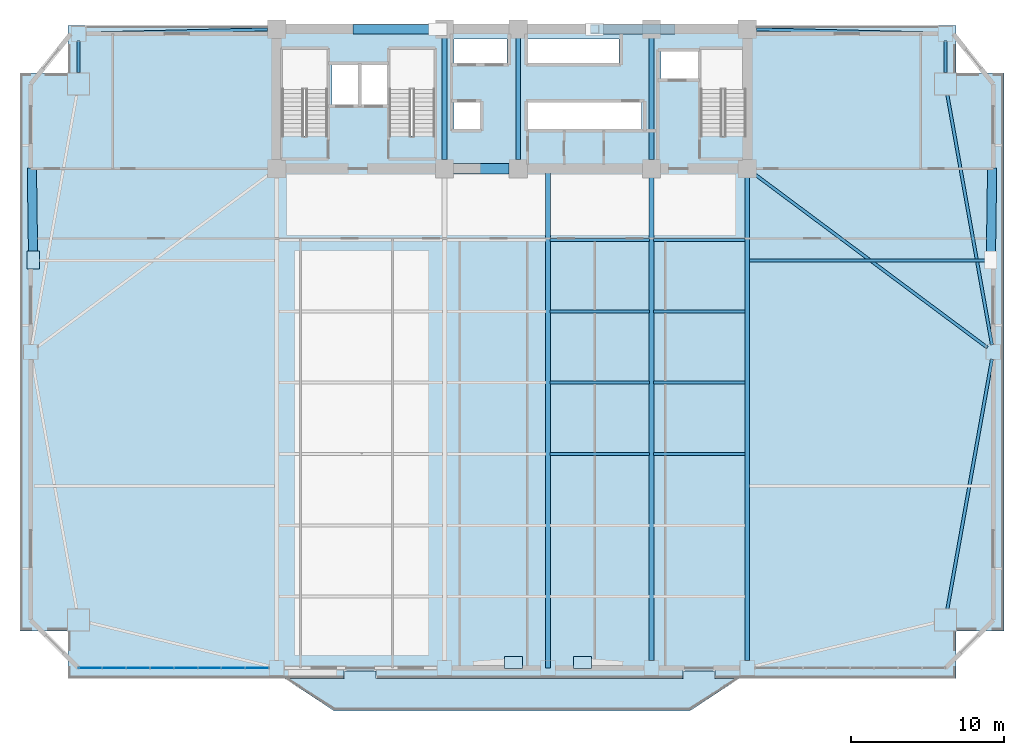
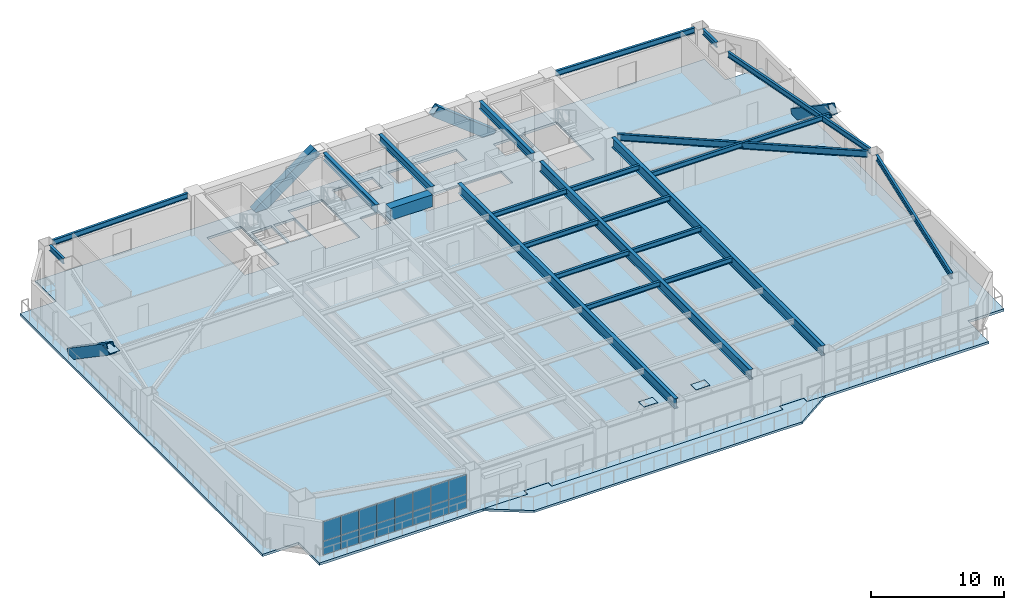
# One storey, part 8 of 18: 23 beams, 19 plates, 4 members, 2 slabs, 1 element without a shape of its own.
"""IFC4 building model written with IfcOpenShell, lengths in metres."""

from ifc_helpers import new_model, si_unit, direction, frame, origin, origin_2d, place, context, subcontext, project, spatial, polyline, rectangle, hollow_rectangle, i_section, outline, extrude, source, transform, mapped, material, layer, layer_set, material_profile, profile_set, type_object, element, aggregate, save


model = new_model("IFC4")

# Units and contexts
model_context = context("Model", 3, precision=1e-05, world=origin(), true_north=direction((0.0, 1.0)))
body_context = subcontext(model_context, "Body", "Model", "MODEL_VIEW")
ifc_project = project(units=[si_unit("LENGTHUNIT", "METRE"), si_unit("AREAUNIT", "SQUARE_METRE"), si_unit("VOLUMEUNIT", "CUBIC_METRE"), si_unit("PLANEANGLEUNIT", "RADIAN"), si_unit("MASSUNIT", "GRAM", prefix="KILO")], contexts=[model_context])

# Site, building, storey
site_placement = place(None, origin())
site = spatial("IfcSite", under=ifc_project, at=site_placement, CompositionType="ELEMENT")
building_placement = place(site_placement, origin())
building = spatial("IfcBuilding", under=site, at=building_placement, Name="Giltprow Tower", CompositionType="ELEMENT")
storey_placement = place(building_placement, frame((0.0, 0.0, 65.0)))
storey = spatial("IfcBuildingStorey", under=building, at=storey_placement, Name="L16", CompositionType="ELEMENT", Elevation=65.0)

# Beams
ifc_material_1 = material(Name="Concrete C60", Category="concrete")
ifc_material_profile_1 = material_profile(ifc_material_1, rectangle(XDim=0.699951171875, YDim=1.10009765625, at=origin_2d()), Name="RC 1100x700")
ifc_profile_set_1 = profile_set([ifc_material_profile_1], Name="Concrete C60")
beam_type_1 = type_object("IfcBeamType", Name="BM-CPL-RC1100", PredefinedType="LINTEL", material=ifc_profile_set_1)
shared_shape_1 = source(origin(), body_context, "Body", "SweptSolid", [
    extrude(rectangle(XDim=0.699951171875, YDim=1.10009765625, at=origin_2d()), origin(), (0.0, 0.0, 1.0), 3.6298828125),
])
beam_1_placement = place(storey_placement, frame((31.385009765625, 37.449951171875, 3.1298828125), z_axis=(1.0, 0.0, 0.0), x_axis=(0.0, 1.0, 0.0)))
element("IfcBeam", 1, at=beam_1_placement, inside=storey, type_object=beam_type_1, Name="L16 Core Coupling Beam CB-1", PredefinedType="LINTEL", context=body_context, shape_type="MappedRepresentation", body=[
    mapped(shared_shape_1, transform((0.0, 0.0, 0.0), x_axis=(1.0, 0.0, 0.0), y_axis=(0.0, 1.0, 0.0), z_axis=(0.0, 0.0, 1.0), scale=1.0)),
])
ifc_material_2 = material(Name="Structural steel Q355B", Category="steel")
ifc_material_profile_2 = material_profile(ifc_material_2, i_section(OverallWidth=0.300048828125, OverallDepth=0.699951171875, WebThickness=0.012939453125, FlangeThickness=0.02392578125, at=origin_2d()), Name="HN 700x300x13x24")
ifc_profile_set_2 = profile_set([ifc_material_profile_2], Name="Structural steel Q355B")
beam_type_2 = type_object("IfcBeamType", Name="BM-GIRD-HN700", PredefinedType="BEAM", material=ifc_profile_set_2)
shared_shape_2 = source(origin(), body_context, "Body", "SweptSolid", [
    extrude(i_section(OverallWidth=0.300048828125, OverallDepth=0.699951171875, WebThickness=0.012939453125, FlangeThickness=0.02392578125, at=origin_2d()), origin(), (0.0, 0.0, 1.0), 7.93017578125),
])
for number, where, z_axis, x_axis, name in (
    (2, (30.800048828125, 38.034912109375, 3.330078125), (0.0, 1.0, 0.0), (-1.0, 0.0, 0.0), "L16 Core Tie Girder M1"),
    (3, (35.60009765625, 38.034912109375, 3.330078125), (0.0, 1.0, 0.0), (-1.0, 0.0, 0.0), "L16 Core Tie Girder M2"),
    (4, (44.300048828125, 38.034912109375, 3.330078125), (0.0, 1.0, 0.0), (-1.0, 0.0, 0.0), "L16 Core Tie Girder M3"),
):
    element("IfcBeam", number, at=place(storey_placement, frame(where, z_axis=z_axis, x_axis=x_axis)), inside=storey, type_object=beam_type_2, Name=name, PredefinedType="BEAM", context=body_context, shape_type="MappedRepresentation", body=[
        mapped(shared_shape_2, transform((0.0, 0.0, 0.0), x_axis=(1.0, 0.0, 0.0), y_axis=(0.0, 1.0, 0.0), z_axis=(0.0, 0.0, 1.0), scale=1.0)),
    ])
ifc_material_profile_3 = material_profile(ifc_material_2, i_section(OverallWidth=0.199951171875, OverallDepth=0.449951171875, WebThickness=0.009033203125, FlangeThickness=0.013916015625, at=origin_2d()), Name="HN 450x200x9x14")
ifc_profile_set_3 = profile_set([ifc_material_profile_3], Name="Structural steel Q355B")
beam_type_3 = type_object("IfcBeamType", Name="BM-JOIST-HN450", PredefinedType="JOIST", material=ifc_profile_set_3)
shared_shape_3 = source(origin(), body_context, "Body", "SweptSolid", [
    extrude(i_section(OverallWidth=0.199951171875, OverallDepth=0.449951171875, WebThickness=0.009033203125, FlangeThickness=0.013916015625, at=origin_2d()), origin(), (0.0, 0.0, 1.0), 6.4599609375),
])
for number, where, z_axis, x_axis, name in (
    (5, (37.695068359375, 18.840087890625, 3.455078125), (1.0, 0.0, 0.0), (0.0, 1.0, 0.0), "L16 Composite Floor Joist 3-3"),
    (6, (37.695068359375, 23.491943359375, 3.455078125), (1.0, 0.0, 0.0), (0.0, 1.0, 0.0), "L16 Composite Floor Joist 4-3"),
    (7, (37.695068359375, 28.14501953125, 3.455078125), (1.0, 0.0, 0.0), (0.0, 1.0, 0.0), "L16 Composite Floor Joist 5-3"),
    (8, (37.695068359375, 32.797119140625, 3.455078125), (1.0, 0.0, 0.0), (0.0, 1.0, 0.0), "L16 Composite Floor Joist 6-3"),
):
    element("IfcBeam", number, at=place(storey_placement, frame(where, z_axis=z_axis, x_axis=x_axis)), inside=storey, type_object=beam_type_3, Name=name, PredefinedType="JOIST", context=body_context, shape_type="MappedRepresentation", body=[
        mapped(shared_shape_3, transform((0.0, 0.0, 0.0), x_axis=(1.0, 0.0, 0.0), y_axis=(0.0, 1.0, 0.0), z_axis=(0.0, 0.0, 1.0), scale=1.0)),
    ])
shared_shape_4 = source(origin(), body_context, "Body", "SweptSolid", [
    extrude(i_section(OverallWidth=0.199951171875, OverallDepth=0.449951171875, WebThickness=0.009033203125, FlangeThickness=0.013916015625, at=origin_2d()), origin(), (0.0, 0.0, 1.0), 5.9599609375),
])
for number, where, z_axis, x_axis, name in (
    (9, (44.445068359375, 18.840087890625, 3.455078125), (1.0, 0.0, 0.0), (0.0, 1.0, 0.0), "L16 Composite Floor Joist 3-4"),
    (10, (44.445068359375, 23.491943359375, 3.455078125), (1.0, 0.0, 0.0), (0.0, 1.0, 0.0), "L16 Composite Floor Joist 4-4"),
    (11, (44.445068359375, 28.14501953125, 3.455078125), (1.0, 0.0, 0.0), (0.0, 1.0, 0.0), "L16 Composite Floor Joist 5-4"),
    (12, (44.445068359375, 32.797119140625, 3.455078125), (1.0, 0.0, 0.0), (0.0, 1.0, 0.0), "L16 Composite Floor Joist 6-4"),
):
    element("IfcBeam", number, at=place(storey_placement, frame(where, z_axis=z_axis, x_axis=x_axis)), inside=storey, type_object=beam_type_3, Name=name, PredefinedType="JOIST", context=body_context, shape_type="MappedRepresentation", body=[
        mapped(shared_shape_4, transform((0.0, 0.0, 0.0), x_axis=(1.0, 0.0, 0.0), y_axis=(0.0, 1.0, 0.0), z_axis=(0.0, 0.0, 1.0), scale=1.0)),
    ])
ifc_material_profile_4 = material_profile(ifc_material_2, i_section(OverallWidth=0.300048828125, OverallDepth=0.89990234375, WebThickness=0.01611328125, FlangeThickness=0.028076171875, at=origin_2d()), Name="HN 900x300x16x28")
ifc_profile_set_4 = profile_set([ifc_material_profile_4], Name="Structural steel Q355B")
beam_type_4 = type_object("IfcBeamType", Name="BM-GIRD-HN900", PredefinedType="BEAM", material=ifc_profile_set_4)
shared_shape_5 = source(origin(), body_context, "Body", "SweptSolid", [
    extrude(i_section(OverallWidth=0.300048828125, OverallDepth=0.89990234375, WebThickness=0.01611328125, FlangeThickness=0.028076171875, at=origin_2d()), origin(), (0.0, 0.0, 1.0), 32.56787109375),
])
beam_2_placement = place(storey_placement, frame((37.550048828125, 4.882080078125, 3.22998046875), z_axis=(0.0, 1.0, 0.0), x_axis=(-1.0, 0.0, 0.0)))
element("IfcBeam", 13, at=beam_2_placement, inside=storey, type_object=beam_type_4, Name="L16 Central Lease Girder SMID", PredefinedType="BEAM", context=body_context, shape_type="MappedRepresentation", body=[
    mapped(shared_shape_5, transform((0.0, 0.0, 0.0), x_axis=(1.0, 0.0, 0.0), y_axis=(0.0, 1.0, 0.0), z_axis=(0.0, 0.0, 1.0), scale=1.0)),
])
shared_shape_6 = source(origin(), body_context, "Body", "SweptSolid", [
    extrude(i_section(OverallWidth=0.199951171875, OverallDepth=0.449951171875, WebThickness=0.009033203125, FlangeThickness=0.013916015625, at=origin_2d()), origin(), (0.0, 0.0, 1.0), 15.680908203125),
])
beam_3_placement = place(storey_placement, frame((50.695068359375, 31.470947265625, 3.455078125), z_axis=(1.0, 0.0, 0.0), x_axis=(0.0, 1.0, 0.0)))
element("IfcBeam", 14, at=beam_3_placement, inside=storey, type_object=beam_type_3, Name="L16 East Wing Floor Joist 2", PredefinedType="JOIST", context=body_context, shape_type="MappedRepresentation", body=[
    mapped(shared_shape_6, transform((0.0, 0.0, 0.0), x_axis=(1.0, 0.0, 0.0), y_axis=(0.0, 1.0, 0.0), z_axis=(0.0, 0.0, 1.0), scale=1.0)),
])
ifc_material_profile_5 = material_profile(ifc_material_2, i_section(OverallWidth=0.199951171875, OverallDepth=0.5, WebThickness=0.010009765625, FlangeThickness=0.01611328125, at=origin_2d()), Name="HN 500x200x10x16")
ifc_profile_set_5 = profile_set([ifc_material_profile_5], Name="Structural steel Q355B")
beam_type_5 = type_object("IfcBeamType", Name="BM-SPAN-HN500", PredefinedType="SPANDREL", material=ifc_profile_set_5)
shared_shape_7 = source(origin(), body_context, "Body", "SweptSolid", [
    extrude(i_section(OverallWidth=0.199951171875, OverallDepth=0.5, WebThickness=0.010009765625, FlangeThickness=0.01611328125, at=origin_2d()), origin(), (0.0, 0.0, 1.0), 16.54345703125),
])
for number, where, z_axis, x_axis, name in (
    (15, (63.60302734375, 8.72802734375, 3.429931640625), (0.175776847753, 0.984430038039, 0.0), (-0.984430038039, 0.175776847753, 0.0), "L16 Perimeter Spandrel Beam MC_SE-E_MID"),
    (16, (66.510986328125, 25.968017578125, 3.429931640625), (-0.175776847753, 0.984430038039, 0.0), (-0.984430038039, -0.175776847753, 0.0), "L16 Perimeter Spandrel Beam E_MID-MC_NE"),
):
    element("IfcBeam", number, at=place(storey_placement, frame(where, z_axis=z_axis, x_axis=x_axis)), inside=storey, type_object=beam_type_5, Name=name, PredefinedType="SPANDREL", context=body_context, shape_type="MappedRepresentation", body=[
        mapped(shared_shape_7, transform((0.0, 0.0, 0.0), x_axis=(1.0, 0.0, 0.0), y_axis=(0.0, 1.0, 0.0), z_axis=(0.0, 0.0, 1.0), scale=1.0)),
    ])
shared_shape_8 = source(origin(), body_context, "Body", "SweptSolid", [
    extrude(i_section(OverallWidth=0.199951171875, OverallDepth=0.5, WebThickness=0.010009765625, FlangeThickness=0.01611328125, at=origin_2d()), origin(), (0.0, 0.0, 1.0), 2.052001953125),
])
for number, where, z_axis, x_axis, name in (
    (17, (63.47412109375, 43.712890625, 3.429931640625), (0.0, 1.0, 0.0), (-1.0, 0.0, 0.0), "L16 Perimeter Spandrel Beam MC_NE-N_E"),
    (18, (6.927001953125, 45.764892578125, 3.429931640625), (0.0, -1.0, 0.0), (1.0, 0.0, 0.0), "L16 Perimeter Spandrel Beam N_W-MC_NW"),
):
    element("IfcBeam", number, at=place(storey_placement, frame(where, z_axis=z_axis, x_axis=x_axis)), inside=storey, type_object=beam_type_5, Name=name, PredefinedType="SPANDREL", context=body_context, shape_type="MappedRepresentation", body=[
        mapped(shared_shape_8, transform((0.0, 0.0, 0.0), x_axis=(1.0, 0.0, 0.0), y_axis=(0.0, 1.0, 0.0), z_axis=(0.0, 0.0, 1.0), scale=1.0)),
    ])
shared_shape_9 = source(origin(), body_context, "Body", "SweptSolid", [
    extrude(i_section(OverallWidth=0.199951171875, OverallDepth=0.5, WebThickness=0.010009765625, FlangeThickness=0.01611328125, at=origin_2d()), origin(), (0.0, 0.0, 1.0), 11.85595703125),
])
beam_4_placement = place(storey_placement, frame((7.412109375, 46.260986328125, 3.429931640625), z_axis=(0.999731149382, 0.02318682721, 0.0), x_axis=(-0.02318682721, 0.999731149382, 0.0)))
element("IfcBeam", 19, at=beam_4_placement, inside=storey, type_object=beam_type_5, Name="L16 North Wing Spandrel W", PredefinedType="SPANDREL", context=body_context, shape_type="MappedRepresentation", body=[
    mapped(shared_shape_9, transform((0.0, 0.0, 0.0), x_axis=(1.0, 0.0, 0.0), y_axis=(0.0, 1.0, 0.0), z_axis=(0.0, 0.0, 1.0), scale=1.0)),
])
shared_shape_10 = source(origin(), body_context, "Body", "SweptSolid", [
    extrude(i_section(OverallWidth=0.199951171875, OverallDepth=0.5, WebThickness=0.010009765625, FlangeThickness=0.01611328125, at=origin_2d()), origin(), (0.0, 0.0, 1.0), 11.857177734375),
])
beam_5_placement = place(storey_placement, frame((51.135009765625, 46.535888671875, 3.429931640625), z_axis=(0.999731204728, -0.023184440757, 0.0), x_axis=(0.023184440757, 0.999731204728, 0.0)))
element("IfcBeam", 20, at=beam_5_placement, inside=storey, type_object=beam_type_5, Name="L16 North Wing Spandrel E", PredefinedType="SPANDREL", context=body_context, shape_type="MappedRepresentation", body=[
    mapped(shared_shape_10, transform((0.0, 0.0, 0.0), x_axis=(1.0, 0.0, 0.0), y_axis=(0.0, 1.0, 0.0), z_axis=(0.0, 0.0, 1.0), scale=1.0)),
])
shared_shape_11 = source(origin(), body_context, "Body", "SweptSolid", [
    extrude(i_section(OverallWidth=0.300048828125, OverallDepth=0.89990234375, WebThickness=0.01611328125, FlangeThickness=0.028076171875, at=origin_2d()), origin(), (0.0, 0.0, 1.0), 31.498046875),
])
for number, where, z_axis, x_axis, name in (
    (21, (44.300048828125, 5.366943359375, 3.22998046875), (0.0, 1.0, 0.0), (-1.0, 0.0, 0.0), "L16 Primary Lease Girder S3"),
    (22, (50.550048828125, 5.366943359375, 3.22998046875), (0.0, 1.0, 0.0), (-1.0, 0.0, 0.0), "L16 Primary Lease Girder S4"),
):
    element("IfcBeam", number, at=place(storey_placement, frame(where, z_axis=z_axis, x_axis=x_axis)), inside=storey, type_object=beam_type_4, Name=name, PredefinedType="BEAM", context=body_context, shape_type="MappedRepresentation", body=[
        mapped(shared_shape_11, transform((0.0, 0.0, 0.0), x_axis=(1.0, 0.0, 0.0), y_axis=(0.0, 1.0, 0.0), z_axis=(0.0, 0.0, 1.0), scale=1.0)),
    ])
ifc_material_profile_6 = material_profile(ifc_material_2, i_section(OverallWidth=0.199951171875, OverallDepth=0.60009765625, WebThickness=0.010986328125, FlangeThickness=0.01708984375, at=origin_2d()), Name="HN 600x200x11x17")
ifc_profile_set_6 = profile_set([ifc_material_profile_6], Name="Structural steel Q355B")
beam_type_6 = type_object("IfcBeamType", Name="BM-GIRD-HN600", PredefinedType="BEAM", material=ifc_profile_set_6)
shared_shape_12 = source(origin(), body_context, "Body", "SweptSolid", [
    extrude(i_section(OverallWidth=0.199951171875, OverallDepth=0.60009765625, WebThickness=0.010986328125, FlangeThickness=0.01708984375, at=origin_2d()), origin(), (0.0, 0.0, 1.0), 18.94189453125),
])
beam_6_placement = place(storey_placement, frame((66.20703125, 25.781005859375, 3.3798828125), z_axis=(-0.801818286045, 0.59756793435, 0.0), x_axis=(-0.59756793435, -0.801818286045, 0.0)))
element("IfcBeam", 23, at=beam_6_placement, inside=storey, type_object=beam_type_6, Name="L16 East Wing Primary Girder", PredefinedType="BEAM", context=body_context, shape_type="MappedRepresentation", body=[
    mapped(shared_shape_12, transform((0.0, 0.0, 0.0), x_axis=(1.0, 0.0, 0.0), y_axis=(0.0, 1.0, 0.0), z_axis=(0.0, 0.0, 1.0), scale=1.0)),
])

# Members
ifc_material_3 = material(Name="Structural steel Q420GJC", Category="steel")
ifc_material_profile_7 = material_profile(ifc_material_3, hollow_rectangle(XDim=0.60009765625, YDim=0.89990234375, WallThickness=0.0400390625, at=origin_2d()), Name="RHS 900x600x40")
ifc_profile_set_7 = profile_set([ifc_material_profile_7], Name="Structural steel Q420GJC")
member_type = type_object("IfcMemberType", Name="MBR-MEGA-RHS900", PredefinedType="BRACE", material=ifc_profile_set_7)
shared_shape_13 = source(origin(), body_context, "Body", "SweptSolid", [
    extrude(hollow_rectangle(XDim=0.60009765625, YDim=0.89990234375, WallThickness=0.0400390625, at=origin_2d()), origin(), (0.0, 0.0, 1.0), 6.5400390625),
])
member_1_placement = place(storey_placement, frame((25.10009765625, 46.550048828125, -0.139892578125), z_axis=(0.802750995836, 0.0, 0.596314379068), x_axis=(0.0, 1.0, 0.0)))
element("IfcMember", 24, at=member_1_placement, inside=storey, type_object=member_type, Name="L16 Chevron Mega-Brace N-L", PredefinedType="BRACE", context=body_context, shape_type="MappedRepresentation", body=[
    mapped(shared_shape_13, transform((0.0, 0.0, 0.0), x_axis=(1.0, 0.0, 0.0), y_axis=(0.0, 1.0, 0.0), z_axis=(0.0, 0.0, 1.0), scale=1.0)),
])
shared_shape_14 = source(origin(), body_context, "Body", "SweptSolid", [
    extrude(hollow_rectangle(XDim=0.60009765625, YDim=0.89990234375, WallThickness=0.0400390625, at=origin_2d()), origin(), (0.0, 0.0, 1.0), 6.328369140625),
])
member_2_placement = place(storey_placement, frame((45.56689453125, 46.550048828125, -0.139892578125), z_axis=(-0.787545703669, 0.0, 0.616256249163), x_axis=(0.0, -1.0, 0.0)))
element("IfcMember", 25, at=member_2_placement, inside=storey, type_object=member_type, Name="L16 Chevron Mega-Brace N-R", PredefinedType="BRACE", context=body_context, shape_type="MappedRepresentation", body=[
    mapped(shared_shape_14, transform((0.0, 0.0, 0.0), x_axis=(1.0, 0.0, 0.0), y_axis=(0.0, 1.0, 0.0), z_axis=(0.0, 0.0, 1.0), scale=1.0)),
])
shared_shape_15 = source(origin(), body_context, "Body", "SweptSolid", [
    extrude(hollow_rectangle(XDim=0.60009765625, YDim=0.89990234375, WallThickness=0.0400390625, at=origin_2d()), origin(), (0.0, 0.0, 1.0), 6.940673828125),
])
for number, where, z_axis, x_axis, name in (
    (26, (3.883056640625, 37.237060546875, 0.0), (0.01136149586, -0.827138003577, 0.561884008894), (0.999905675691, 0.013734617616, 0.0), "L16 Chevron Mega-Brace W-R"),
    (27, (66.51806640625, 37.237060546875, 0.0), (-0.011396666208, -0.827137672508, 0.561883783995), (0.999905090819, -0.013777131594, 0.0), "L16 Chevron Mega-Brace E-R"),
):
    element("IfcMember", number, at=place(storey_placement, frame(where, z_axis=z_axis, x_axis=x_axis)), inside=storey, type_object=member_type, Name=name, PredefinedType="BRACE", context=body_context, shape_type="MappedRepresentation", body=[
        mapped(shared_shape_15, transform((0.0, 0.0, 0.0), x_axis=(1.0, 0.0, 0.0), y_axis=(0.0, 1.0, 0.0), z_axis=(0.0, 0.0, 1.0), scale=1.0)),
    ])

# Slabs
ifc_material_4 = material(Name="Concrete C40", Category="concrete")
ifc_layer_1 = layer(ifc_material_4, 0.199951171875, Name="Concrete C40")
ifc_layer_set_1 = layer_set([ifc_layer_1], Name="Concrete C40")
slab_type_1 = type_object("IfcSlabType", Name="SLB-BALC-BRONZE-200", PredefinedType="FLOOR", material=ifc_layer_set_1)
slab_1_placement = place(storey_placement, frame((0.0, 0.0, -0.199951171875)))
element("IfcSlab", 28, at=slab_1_placement, inside=storey, type_object=slab_type_1, Name="L16 Bronze Prow Waterfront Balcony Slab", PredefinedType="FLOOR", context=body_context, shape_type="SweptSolid", body=[
    extrude(outline(polyline([(50.0, 4.181884765625), (46.800048828125, 2.08203125), (23.60009765625, 2.08203125), (20.39990234375, 4.181884765625), (24.280029296875, 4.181884765625), (24.280029296875, 4.681884765625), (26.320068359375, 4.681884765625), (26.320068359375, 4.181884765625), (46.3798828125, 4.181884765625), (46.3798828125, 4.681884765625), (48.419921875, 4.681884765625), (48.419921875, 4.181884765625), (50.0, 4.181884765625)])), origin(), (0.0, 0.0, 1.0), 0.199951171875),
])
ifc_layer_2 = layer(ifc_material_4, 0.219970703125, Name="Concrete C40")
ifc_layer_set_2 = layer_set([ifc_layer_2], Name="Concrete C40")
slab_type_2 = type_object("IfcSlabType", Name="SLB-OFF-220", PredefinedType="FLOOR", material=ifc_layer_set_2)
slab_2_placement = place(storey_placement, frame((0.0, 0.0, -0.219970703125)))
element("IfcSlab", 29, at=slab_2_placement, inside=storey, type_object=slab_type_2, Name="L16 Structural Composite Floor Slab", PredefinedType="FLOOR", context=body_context, shape_type="SweptSolid", body=[
    extrude(outline(polyline([(6.22705078125, 4.181884765625), (6.22705078125, 7.303955078125), (3.10498046875, 7.303955078125), (3.10498046875, 43.677978515625), (6.22705078125, 43.677978515625), (6.22705078125, 46.800048828125), (64.174072265625, 46.800048828125), (64.174072265625, 43.677978515625), (67.2958984375, 43.677978515625), (67.2958984375, 7.303955078125), (64.174072265625, 7.303955078125), (64.174072265625, 4.181884765625), (48.449951171875, 4.181884765625), (48.449951171875, 4.701904296875), (46.35009765625, 4.701904296875), (46.35009765625, 4.181884765625), (26.35009765625, 4.181884765625), (26.35009765625, 4.701904296875), (24.25, 4.701904296875), (24.25, 4.181884765625), (6.22705078125, 4.181884765625)]), holes=[polyline([(33.10009765625, 41.800048828125), (31.419921875, 41.800048828125), (31.419921875, 40.0), (33.10009765625, 40.0), (33.10009765625, 41.800048828125)]), polyline([(23.159912109375, 39.570068359375), (23.159912109375, 45.25), (20.199951171875, 45.25), (20.199951171875, 39.570068359375), (23.159912109375, 39.570068359375)]), polyline([(30.159912109375, 45.25), (27.199951171875, 45.25), (27.199951171875, 39.570068359375), (30.159912109375, 39.570068359375), (30.159912109375, 45.25)]), polyline([(25.169921875, 41.60009765625), (25.169921875, 44.199951171875), (23.449951171875, 44.199951171875), (23.449951171875, 41.60009765625), (25.169921875, 41.60009765625)]), polyline([(27.10009765625, 41.60009765625), (27.10009765625, 44.199951171875), (25.35009765625, 44.199951171875), (25.35009765625, 41.60009765625), (27.10009765625, 41.60009765625)]), polyline([(43.659912109375, 40.0), (43.659912109375, 41.800048828125), (36.239990234375, 41.800048828125), (36.239990234375, 40.0), (43.659912109375, 40.0)]), polyline([(50.4599609375, 39.570068359375), (50.4599609375, 45.25), (47.5, 45.25), (47.5, 39.570068359375), (50.4599609375, 39.570068359375)]), polyline([(47.3798828125, 45.10009765625), (44.919921875, 45.10009765625), (44.919921875, 43.300048828125), (47.3798828125, 43.300048828125), (47.3798828125, 45.10009765625)]), polyline([(34.8798828125, 44.300048828125), (34.8798828125, 45.919921875), (31.419921875, 45.919921875), (31.419921875, 44.300048828125), (34.8798828125, 44.300048828125)]), polyline([(42.169921875, 44.300048828125), (42.169921875, 45.919921875), (36.239990234375, 45.919921875), (36.239990234375, 44.300048828125), (42.169921875, 44.300048828125)])]), origin(), (0.0, 0.0, 1.0), 0.219970703125),
])

# Plates
plate_type_1 = type_object("IfcPlateType", Name="PLT-CAP-SEAL", PredefinedType="USERDEFINED", material=ifc_material_3)
shared_shape_16 = source(origin(), body_context, "Body", "SweptSolid", [
    extrude(rectangle(XDim=1.199951171875, YDim=0.800048828125, at=origin_2d()), origin(), (0.0, 0.0, 1.0), 0.034912109375),
])
for number, where, z_axis, x_axis, name in (
    (30, (35.300048828125, 5.23291015625, 3.88232421875), (0.0, 0.0, 1.0), (1.0, 0.0, 0.0), "Mega-Brace Node L16-S-LB"),
    (31, (39.800048828125, 5.23291015625, 3.88232421875), (0.0, 0.0, 1.0), (1.0, 0.0, 0.0), "Mega-Brace Node L16-S-RB"),
    (32, (3.9619140625, 31.49609375, 3.88232421875), (0.0, 0.0, 1.0), (0.0, 1.0, 0.0), "Mega-Brace Node L16-W-RB"),
):
    element("IfcPlate", number, at=place(storey_placement, frame(where, z_axis=z_axis, x_axis=x_axis)), inside=storey, type_object=plate_type_1, Name=name, ObjectType="SPLICE", PredefinedType="USERDEFINED", context=body_context, shape_type="MappedRepresentation", body=[
        mapped(shared_shape_16, transform((0.0, 0.0, 0.0), x_axis=(1.0, 0.0, 0.0), y_axis=(0.0, 1.0, 0.0), z_axis=(0.0, 0.0, 1.0), scale=1.0)),
    ])

# Curtain wall, plates
ifc_material_5 = material(Name="Anodized bronze", Category="metal")
ifc_layer_3 = layer(ifc_material_5, 0.179931640625, Name="Anodized bronze")
ifc_layer_set_3 = layer_set([ifc_layer_3], Name="Anodized bronze")
curtain_wall_type = type_object("IfcCurtainWallType", Name="CW-OFF-RECESSED", PredefinedType="NOTDEFINED", material=ifc_layer_set_3)
curtain_wall_placement = place(storey_placement, origin())
curtain_wall = element("IfcCurtainWall", 33, at=curtain_wall_placement, inside=storey, type_object=curtain_wall_type, Name="L16 South Recessed Curtain Wall 1", PredefinedType="NOTDEFINED")
ifc_material_6 = material(Name="Insulated glass", Category="glass")
plate_type_2 = type_object("IfcPlateType", Name="CW-PANEL-IGU-28", PredefinedType="CURTAIN_PANEL", material=ifc_material_6)
shared_shape_17 = source(origin(), body_context, "Body", "SweptSolid", [
    extrude(rectangle(XDim=1.52294921875, YDim=0.028076171875, at=origin_2d()), origin(), (0.0, 0.0, 1.0), 1.259033203125),
])
plate_1_placement = place(storey_placement, frame((7.702880859375, 4.882080078125, 0.0546875), z_axis=(0.0, 0.0, 1.0), x_axis=(1.0, 0.0, 0.0)))
plate_1 = element("IfcPlate", 34, at=plate_1_placement, type_object=plate_type_2, Name="L16 South Recessed Curtain Wall 1 Glazing Panel 1-1", PredefinedType="CURTAIN_PANEL", context=body_context, shape_type="MappedRepresentation", body=[
    mapped(shared_shape_17, transform((0.0, 0.0, 0.0), x_axis=(1.0, 0.0, 0.0), y_axis=(0.0, 1.0, 0.0), z_axis=(0.0, 0.0, 1.0), scale=1.0)),
])
plate_2_placement = place(storey_placement, frame((9.256103515625, 4.882080078125, 0.0546875), z_axis=(0.0, 0.0, 1.0), x_axis=(1.0, 0.0, 0.0)))
plate_2 = element("IfcPlate", 35, at=plate_2_placement, type_object=plate_type_2, Name="L16 South Recessed Curtain Wall 1 Glazing Panel 2-1", PredefinedType="CURTAIN_PANEL", context=body_context, shape_type="MappedRepresentation", body=[
    mapped(shared_shape_17, transform((0.0, 0.0, 0.0), x_axis=(1.0, 0.0, 0.0), y_axis=(0.0, 1.0, 0.0), z_axis=(0.0, 0.0, 1.0), scale=1.0)),
])
plate_3_placement = place(storey_placement, frame((10.80908203125, 4.882080078125, 0.0546875), z_axis=(0.0, 0.0, 1.0), x_axis=(1.0, 0.0, 0.0)))
plate_3 = element("IfcPlate", 36, at=plate_3_placement, type_object=plate_type_2, Name="L16 South Recessed Curtain Wall 1 Glazing Panel 3-1", PredefinedType="CURTAIN_PANEL", context=body_context, shape_type="MappedRepresentation", body=[
    mapped(shared_shape_17, transform((0.0, 0.0, 0.0), x_axis=(1.0, 0.0, 0.0), y_axis=(0.0, 1.0, 0.0), z_axis=(0.0, 0.0, 1.0), scale=1.0)),
])
plate_4_placement = place(storey_placement, frame((12.362060546875, 4.882080078125, 0.0546875), z_axis=(0.0, 0.0, 1.0), x_axis=(1.0, 0.0, 0.0)))
plate_4 = element("IfcPlate", 37, at=plate_4_placement, type_object=plate_type_2, Name="L16 South Recessed Curtain Wall 1 Glazing Panel 4-1", PredefinedType="CURTAIN_PANEL", context=body_context, shape_type="MappedRepresentation", body=[
    mapped(shared_shape_17, transform((0.0, 0.0, 0.0), x_axis=(1.0, 0.0, 0.0), y_axis=(0.0, 1.0, 0.0), z_axis=(0.0, 0.0, 1.0), scale=1.0)),
])
plate_5_placement = place(storey_placement, frame((13.9150390625, 4.882080078125, 0.0546875), z_axis=(0.0, 0.0, 1.0), x_axis=(1.0, 0.0, 0.0)))
plate_5 = element("IfcPlate", 38, at=plate_5_placement, type_object=plate_type_2, Name="L16 South Recessed Curtain Wall 1 Glazing Panel 5-1", PredefinedType="CURTAIN_PANEL", context=body_context, shape_type="MappedRepresentation", body=[
    mapped(shared_shape_17, transform((0.0, 0.0, 0.0), x_axis=(1.0, 0.0, 0.0), y_axis=(0.0, 1.0, 0.0), z_axis=(0.0, 0.0, 1.0), scale=1.0)),
])
plate_6_placement = place(storey_placement, frame((15.468017578125, 4.882080078125, 0.0546875), z_axis=(0.0, 0.0, 1.0), x_axis=(1.0, 0.0, 0.0)))
plate_6 = element("IfcPlate", 39, at=plate_6_placement, type_object=plate_type_2, Name="L16 South Recessed Curtain Wall 1 Glazing Panel 6-1", PredefinedType="CURTAIN_PANEL", context=body_context, shape_type="MappedRepresentation", body=[
    mapped(shared_shape_17, transform((0.0, 0.0, 0.0), x_axis=(1.0, 0.0, 0.0), y_axis=(0.0, 1.0, 0.0), z_axis=(0.0, 0.0, 1.0), scale=1.0)),
])
plate_7_placement = place(storey_placement, frame((17.02099609375, 4.882080078125, 0.0546875), z_axis=(0.0, 0.0, 1.0), x_axis=(1.0, 0.0, 0.0)))
plate_7 = element("IfcPlate", 40, at=plate_7_placement, type_object=plate_type_2, Name="L16 South Recessed Curtain Wall 1 Glazing Panel 7-1", PredefinedType="CURTAIN_PANEL", context=body_context, shape_type="MappedRepresentation", body=[
    mapped(shared_shape_17, transform((0.0, 0.0, 0.0), x_axis=(1.0, 0.0, 0.0), y_axis=(0.0, 1.0, 0.0), z_axis=(0.0, 0.0, 1.0), scale=1.0)),
])
plate_8_placement = place(storey_placement, frame((18.573974609375, 4.882080078125, 0.0546875), z_axis=(0.0, 0.0, 1.0), x_axis=(1.0, 0.0, 0.0)))
plate_8 = element("IfcPlate", 41, at=plate_8_placement, type_object=plate_type_2, Name="L16 South Recessed Curtain Wall 1 Glazing Panel 8-1", PredefinedType="CURTAIN_PANEL", context=body_context, shape_type="MappedRepresentation", body=[
    mapped(shared_shape_17, transform((0.0, 0.0, 0.0), x_axis=(1.0, 0.0, 0.0), y_axis=(0.0, 1.0, 0.0), z_axis=(0.0, 0.0, 1.0), scale=1.0)),
])
shared_shape_18 = source(origin(), body_context, "Body", "SweptSolid", [
    extrude(rectangle(XDim=1.52294921875, YDim=0.028076171875, at=origin_2d()), origin(), (0.0, 0.0, 1.0), 1.764892578125),
])
plate_9_placement = place(storey_placement, frame((7.702880859375, 4.882080078125, 1.341796875), z_axis=(0.0, 0.0, 1.0), x_axis=(1.0, 0.0, 0.0)))
plate_9 = element("IfcPlate", 42, at=plate_9_placement, type_object=plate_type_2, Name="L16 South Recessed Curtain Wall 1 Glazing Panel 1-2", PredefinedType="CURTAIN_PANEL", context=body_context, shape_type="MappedRepresentation", body=[
    mapped(shared_shape_18, transform((0.0, 0.0, 0.0), x_axis=(1.0, 0.0, 0.0), y_axis=(0.0, 1.0, 0.0), z_axis=(0.0, 0.0, 1.0), scale=1.0)),
])
plate_10_placement = place(storey_placement, frame((9.256103515625, 4.882080078125, 1.341796875), z_axis=(0.0, 0.0, 1.0), x_axis=(1.0, 0.0, 0.0)))
plate_10 = element("IfcPlate", 43, at=plate_10_placement, type_object=plate_type_2, Name="L16 South Recessed Curtain Wall 1 Glazing Panel 2-2", PredefinedType="CURTAIN_PANEL", context=body_context, shape_type="MappedRepresentation", body=[
    mapped(shared_shape_18, transform((0.0, 0.0, 0.0), x_axis=(1.0, 0.0, 0.0), y_axis=(0.0, 1.0, 0.0), z_axis=(0.0, 0.0, 1.0), scale=1.0)),
])
plate_11_placement = place(storey_placement, frame((10.80908203125, 4.882080078125, 1.341796875), z_axis=(0.0, 0.0, 1.0), x_axis=(1.0, 0.0, 0.0)))
plate_11 = element("IfcPlate", 44, at=plate_11_placement, type_object=plate_type_2, Name="L16 South Recessed Curtain Wall 1 Glazing Panel 3-2", PredefinedType="CURTAIN_PANEL", context=body_context, shape_type="MappedRepresentation", body=[
    mapped(shared_shape_18, transform((0.0, 0.0, 0.0), x_axis=(1.0, 0.0, 0.0), y_axis=(0.0, 1.0, 0.0), z_axis=(0.0, 0.0, 1.0), scale=1.0)),
])
plate_12_placement = place(storey_placement, frame((12.362060546875, 4.882080078125, 1.341796875), z_axis=(0.0, 0.0, 1.0), x_axis=(1.0, 0.0, 0.0)))
plate_12 = element("IfcPlate", 45, at=plate_12_placement, type_object=plate_type_2, Name="L16 South Recessed Curtain Wall 1 Glazing Panel 4-2", PredefinedType="CURTAIN_PANEL", context=body_context, shape_type="MappedRepresentation", body=[
    mapped(shared_shape_18, transform((0.0, 0.0, 0.0), x_axis=(1.0, 0.0, 0.0), y_axis=(0.0, 1.0, 0.0), z_axis=(0.0, 0.0, 1.0), scale=1.0)),
])
plate_13_placement = place(storey_placement, frame((13.9150390625, 4.882080078125, 1.341796875), z_axis=(0.0, 0.0, 1.0), x_axis=(1.0, 0.0, 0.0)))
plate_13 = element("IfcPlate", 46, at=plate_13_placement, type_object=plate_type_2, Name="L16 South Recessed Curtain Wall 1 Glazing Panel 5-2", PredefinedType="CURTAIN_PANEL", context=body_context, shape_type="MappedRepresentation", body=[
    mapped(shared_shape_18, transform((0.0, 0.0, 0.0), x_axis=(1.0, 0.0, 0.0), y_axis=(0.0, 1.0, 0.0), z_axis=(0.0, 0.0, 1.0), scale=1.0)),
])
plate_14_placement = place(storey_placement, frame((15.468017578125, 4.882080078125, 1.341796875), z_axis=(0.0, 0.0, 1.0), x_axis=(1.0, 0.0, 0.0)))
plate_14 = element("IfcPlate", 47, at=plate_14_placement, type_object=plate_type_2, Name="L16 South Recessed Curtain Wall 1 Glazing Panel 6-2", PredefinedType="CURTAIN_PANEL", context=body_context, shape_type="MappedRepresentation", body=[
    mapped(shared_shape_18, transform((0.0, 0.0, 0.0), x_axis=(1.0, 0.0, 0.0), y_axis=(0.0, 1.0, 0.0), z_axis=(0.0, 0.0, 1.0), scale=1.0)),
])
plate_15_placement = place(storey_placement, frame((17.02099609375, 4.882080078125, 1.341796875), z_axis=(0.0, 0.0, 1.0), x_axis=(1.0, 0.0, 0.0)))
plate_15 = element("IfcPlate", 48, at=plate_15_placement, type_object=plate_type_2, Name="L16 South Recessed Curtain Wall 1 Glazing Panel 7-2", PredefinedType="CURTAIN_PANEL", context=body_context, shape_type="MappedRepresentation", body=[
    mapped(shared_shape_18, transform((0.0, 0.0, 0.0), x_axis=(1.0, 0.0, 0.0), y_axis=(0.0, 1.0, 0.0), z_axis=(0.0, 0.0, 1.0), scale=1.0)),
])
plate_16_placement = place(storey_placement, frame((18.573974609375, 4.882080078125, 1.341796875), z_axis=(0.0, 0.0, 1.0), x_axis=(1.0, 0.0, 0.0)))
plate_16 = element("IfcPlate", 49, at=plate_16_placement, type_object=plate_type_2, Name="L16 South Recessed Curtain Wall 1 Glazing Panel 8-2", PredefinedType="CURTAIN_PANEL", context=body_context, shape_type="MappedRepresentation", body=[
    mapped(shared_shape_18, transform((0.0, 0.0, 0.0), x_axis=(1.0, 0.0, 0.0), y_axis=(0.0, 1.0, 0.0), z_axis=(0.0, 0.0, 1.0), scale=1.0)),
])
aggregate(curtain_wall, [plate_1, plate_9, plate_2, plate_10, plate_3, plate_11, plate_4, plate_12, plate_5, plate_13, plate_6, plate_14, plate_7, plate_15, plate_8, plate_16])

save(model, "model.ifc")
